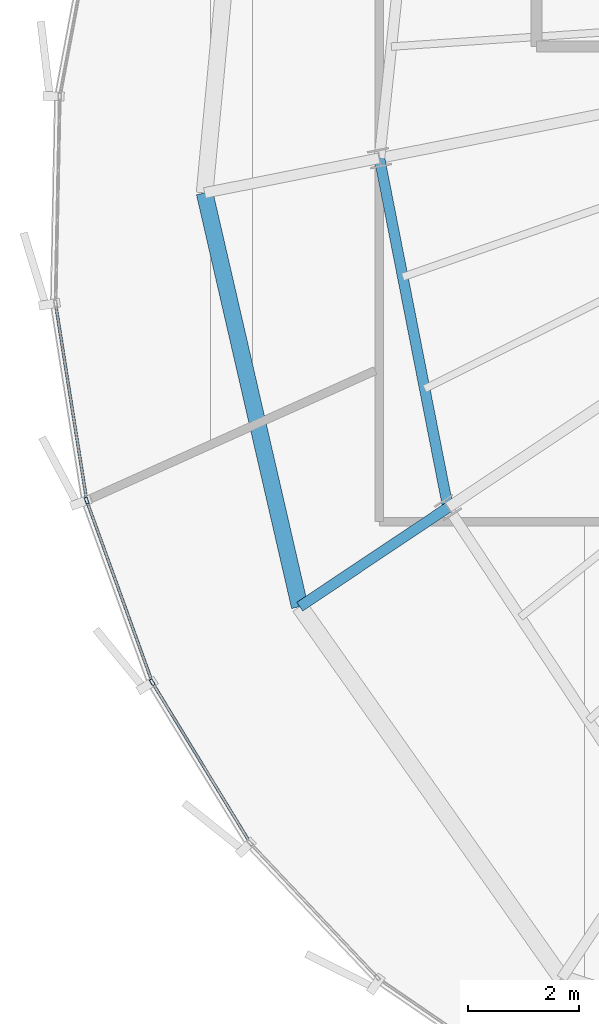
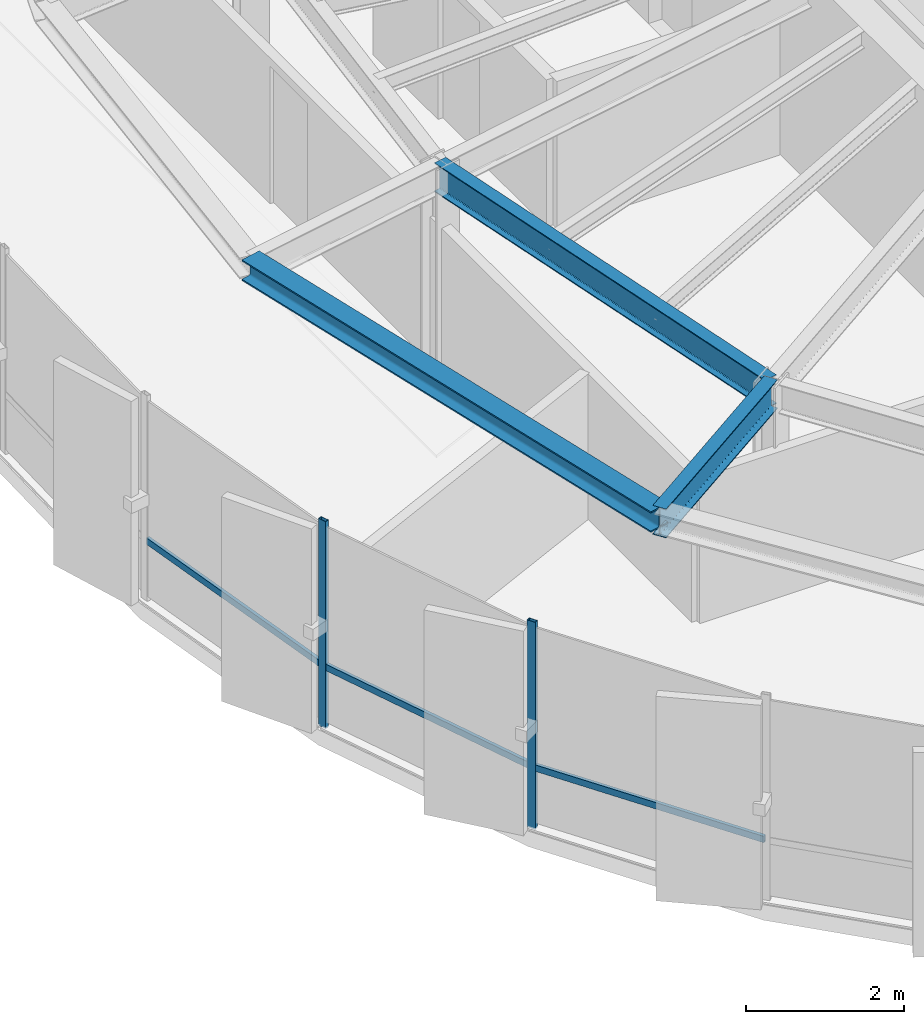
# One storey, part 4 of 33: 5 members, 3 beams, 1 element without a shape of its own.
"""IFC4 building model written with IfcOpenShell, lengths in metres."""

from ifc_helpers import new_model, si_unit, direction, frame, origin, origin_2d, place, context, subcontext, project, spatial, hollow_rectangle, i_section, extrude, source, transform, mapped, material, layer, layer_set, material_profile, profile_set, type_object, element, aggregate, save


model = new_model("IFC4")

# Units and contexts
model_context = context("Model", 3, precision=1e-05, world=origin(), true_north=direction((0.0, 1.0)))
body_context = subcontext(model_context, "Body", "Model", "MODEL_VIEW")
ifc_project = project(units=[si_unit("LENGTHUNIT", "METRE"), si_unit("AREAUNIT", "SQUARE_METRE"), si_unit("VOLUMEUNIT", "CUBIC_METRE"), si_unit("PLANEANGLEUNIT", "RADIAN"), si_unit("MASSUNIT", "GRAM", prefix="KILO"), si_unit("THERMODYNAMICTEMPERATUREUNIT", "KELVIN")], contexts=[model_context])

# Site, building, storey
site_placement = place(None, origin())
site = spatial("IfcSite", under=ifc_project, at=site_placement, CompositionType="ELEMENT")
building_placement = place(site_placement, origin())
building = spatial("IfcBuilding", under=site, at=building_placement, Name="Kethvar Cultural Tower", CompositionType="ELEMENT")
storey_placement = place(building_placement, frame((0.0, 0.0, 235.300048828125)))
storey = spatial("IfcBuildingStorey", under=building, at=storey_placement, Name="L61", CompositionType="ELEMENT", Elevation=235.300048828125)

# Beams
ifc_material_1 = material(Name="Steel S355J2", Category="steel")
ifc_material_profile_1 = material_profile(ifc_material_1, i_section(OverallWidth=0.18994140625, OverallDepth=0.449951171875, WebThickness=0.009521484375, FlangeThickness=0.0146484375, FilletRadius=0.02099609375, at=origin_2d()), Name="Steel S355J2 — IPE450")
ifc_profile_set_1 = profile_set([ifc_material_profile_1], Name="Steel S355J2 — IPE450")
beam_type_1 = type_object("IfcBeamType", Name="BM-IPE450", PredefinedType="BEAM", material=ifc_profile_set_1)
shared_shape_1 = source(origin(), body_context, "Body", "SweptSolid", [
    extrude(i_section(OverallWidth=0.18994140625, OverallDepth=0.449951171875, WebThickness=0.009521484375, FlangeThickness=0.0146484375, FilletRadius=0.02099609375, at=origin_2d()), origin(), (0.0, 0.0, 1.0), 3.199951171875),
])
beam_1_placement = place(storey_placement, frame((32.912841796875, 18.52099609375, 2.98291015625), z_axis=(-0.831462943996, -0.555580212716, 0.0), x_axis=(0.555580212716, -0.831462943996, 0.0)))
element("IfcBeam", 1, at=beam_1_placement, inside=storey, type_object=beam_type_1, Name="L61 Perimeter Cantilever Beam RC-10", PredefinedType="BEAM", context=body_context, shape_type="MappedRepresentation", body=[
    mapped(shared_shape_1, transform((0.0, 0.0, 0.0), scale=1.0)),
])
shared_shape_2 = source(origin(), body_context, "Body", "SweptSolid", [
    extrude(i_section(OverallWidth=0.18994140625, OverallDepth=0.449951171875, WebThickness=0.009521484375, FlangeThickness=0.0146484375, FilletRadius=0.02099609375, at=origin_2d()), origin(), (0.0, 0.0, 1.0), 6.391357421875),
])
beam_2_placement = place(storey_placement, frame((31.68310546875, 24.79296875, 2.98291015625), z_axis=(0.192405084368, -0.981315588131, 0.0), x_axis=(0.981315588131, 0.192405084368, 0.0)))
element("IfcBeam", 2, at=beam_2_placement, inside=storey, type_object=beam_type_1, Name="L61 Column Ring Tie Beam CR-09", PredefinedType="BEAM", context=body_context, shape_type="MappedRepresentation", body=[
    mapped(shared_shape_2, transform((0.0, 0.0, 0.0), scale=1.0)),
])
ifc_material_profile_2 = material_profile(ifc_material_1, i_section(OverallWidth=0.300048828125, OverallDepth=0.320068359375, WebThickness=0.011474609375, FlangeThickness=0.0205078125, FilletRadius=0.027099609375, at=origin_2d()), Name="Steel S355J2 — HEB320")
ifc_profile_set_2 = profile_set([ifc_material_profile_2], Name="Steel S355J2 — HEB320")
beam_type_2 = type_object("IfcBeamType", Name="BM-SP320", PredefinedType="SPANDREL", material=ifc_profile_set_2)
shared_shape_3 = source(origin(), body_context, "Body", "SweptSolid", [
    extrude(i_section(OverallWidth=0.300048828125, OverallDepth=0.320068359375, WebThickness=0.011474609375, FlangeThickness=0.0205078125, FilletRadius=0.027099609375, at=origin_2d()), origin(), (0.0, 0.0, 1.0), 7.619384765625),
])
beam_3_placement = place(storey_placement, frame((28.54443359375, 24.168701171875, 3.0478515625), z_axis=(0.224133998424, -0.974558336248, 0.0), x_axis=(0.974558336248, 0.224133998424, 0.0)))
element("IfcBeam", 3, at=beam_3_placement, inside=storey, type_object=beam_type_2, Name="L61 Perimeter Spandrel Beam SP-09", PredefinedType="SPANDREL", context=body_context, shape_type="MappedRepresentation", body=[
    mapped(shared_shape_3, transform((0.0, 0.0, 0.0), scale=1.0)),
])

# Curtain wall, members
ifc_material_2 = material(Name="Aluminium 6063-T6", Category="aluminium")
ifc_layer = layer(ifc_material_2, 0.179931640625, Name="Aluminium 6063-T6", Category="aluminium")
ifc_layer_set = layer_set([ifc_layer], Name="Aluminium 6063-T6 (180 mm)")
curtain_wall_type = type_object("IfcCurtainWallType", Name="CW-SYS-05-Z56", PredefinedType="NOTDEFINED", material=ifc_layer_set)
curtain_wall_placement = place(storey_placement, origin())
curtain_wall = element("IfcCurtainWall", 4, at=curtain_wall_placement, inside=storey, type_object=curtain_wall_type, Name="L61 Curtain Wall Run 03", PredefinedType="NOTDEFINED")
ifc_material_profile_3 = material_profile(ifc_material_2, hollow_rectangle(XDim=0.054931640625, YDim=0.1201171875, WallThickness=0.00390625, at=origin_2d()), Name="Aluminium 6063-T6 — RHS120x55x4")
ifc_profile_set_3 = profile_set([ifc_material_profile_3], Name="Aluminium 6063-T6 — RHS120x55x4")
member_type_1 = type_object("IfcMemberType", Name="CW-SYS-05-Z56-MUL", PredefinedType="MULLION", material=ifc_profile_set_3)
shared_shape_4 = source(origin(), body_context, "Body", "SweptSolid", [
    extrude(hollow_rectangle(XDim=0.054931640625, YDim=0.1201171875, WallThickness=0.00390625, at=origin_2d()), origin(), (0.0, 0.0, 1.0), 3.2099609375),
])
member_1_placement = place(storey_placement, frame((26.4267578125, 18.647705078125, 0.0), z_axis=(0.0, 0.0, 1.0), x_axis=(0.940466220425, 0.339887169865, 0.0)))
member_1 = element("IfcMember", 5, at=member_1_placement, type_object=member_type_1, Name="CW-L61-R03 Mullion 4", PredefinedType="MULLION", context=body_context, shape_type="MappedRepresentation", body=[
    mapped(shared_shape_4, transform((0.0, 0.0, 0.0), scale=1.0)),
])
member_2_placement = place(storey_placement, frame((27.60400390625, 15.385009765625, 0.0), z_axis=(0.0, 0.0, 1.0), x_axis=(0.853568983422, 0.52097983698, 0.0)))
member_2 = element("IfcMember", 6, at=member_2_placement, type_object=member_type_1, Name="CW-L61-R03 Mullion 5", PredefinedType="MULLION", context=body_context, shape_type="MappedRepresentation", body=[
    mapped(shared_shape_4, transform((0.0, 0.0, 0.0), scale=1.0)),
])
ifc_material_profile_4 = material_profile(ifc_material_2, hollow_rectangle(XDim=0.050048828125, YDim=0.10009765625, WallThickness=0.00390625, at=origin_2d()), Name="Aluminium 6063-T6 — RHS100x50x4")
ifc_profile_set_4 = profile_set([ifc_material_profile_4], Name="Aluminium 6063-T6 — RHS100x50x4")
member_type_2 = type_object("IfcMemberType", Name="CW-SYS-05-Z56-TRN", PredefinedType="USERDEFINED", material=ifc_profile_set_4)
shared_shape_5 = source(origin(), body_context, "Body", "SweptSolid", [
    extrude(hollow_rectangle(XDim=0.050048828125, YDim=0.10009765625, WallThickness=0.00390625, at=origin_2d()), origin(), (0.0, 0.0, 1.0), 3.525390625),
])
member_3_placement = place(storey_placement, frame((25.8740234375, 22.150390625, 0.949951171875), z_axis=(0.156375087932, -0.987697743176, 0.0), x_axis=(0.987697743176, 0.156375087932, 0.0)))
member_3 = element("IfcMember", 7, at=member_3_placement, type_object=member_type_2, Name="CW-L61-R03 Transom 3", ObjectType="TRANSOM", PredefinedType="USERDEFINED", context=body_context, shape_type="MappedRepresentation", body=[
    mapped(shared_shape_5, transform((0.0, 0.0, 0.0), scale=1.0)),
])
shared_shape_6 = source(origin(), body_context, "Body", "SweptSolid", [
    extrude(hollow_rectangle(XDim=0.050048828125, YDim=0.10009765625, WallThickness=0.00390625, at=origin_2d()), origin(), (0.0, 0.0, 1.0), 3.409423828125),
])
member_4_placement = place(storey_placement, frame((26.440185546875, 18.6103515625, 0.949951171875), z_axis=(0.339931277854, -0.940450278503, 0.0), x_axis=(0.940450278503, 0.339931277854, 0.0)))
member_4 = element("IfcMember", 8, at=member_4_placement, type_object=member_type_2, Name="CW-L61-R03 Transom 4", ObjectType="TRANSOM", PredefinedType="USERDEFINED", context=body_context, shape_type="MappedRepresentation", body=[
    mapped(shared_shape_6, transform((0.0, 0.0, 0.0), scale=1.0)),
])
shared_shape_7 = source(origin(), body_context, "Body", "SweptSolid", [
    extrude(hollow_rectangle(XDim=0.050048828125, YDim=0.10009765625, WallThickness=0.00390625, at=origin_2d()), origin(), (0.0, 0.0, 1.0), 3.32080078125),
])
member_5_placement = place(storey_placement, frame((27.62451171875, 15.35107421875, 0.949951171875), z_axis=(0.520968158794, -0.853576111148, 0.0), x_axis=(0.853576111148, 0.520968158794, 0.0)))
member_5 = element("IfcMember", 9, at=member_5_placement, type_object=member_type_2, Name="CW-L61-R03 Transom 5", ObjectType="TRANSOM", PredefinedType="USERDEFINED", context=body_context, shape_type="MappedRepresentation", body=[
    mapped(shared_shape_7, transform((0.0, 0.0, 0.0), scale=1.0)),
])
aggregate(curtain_wall, [member_1, member_2, member_3, member_4, member_5])

save(model, "model.ifc")
